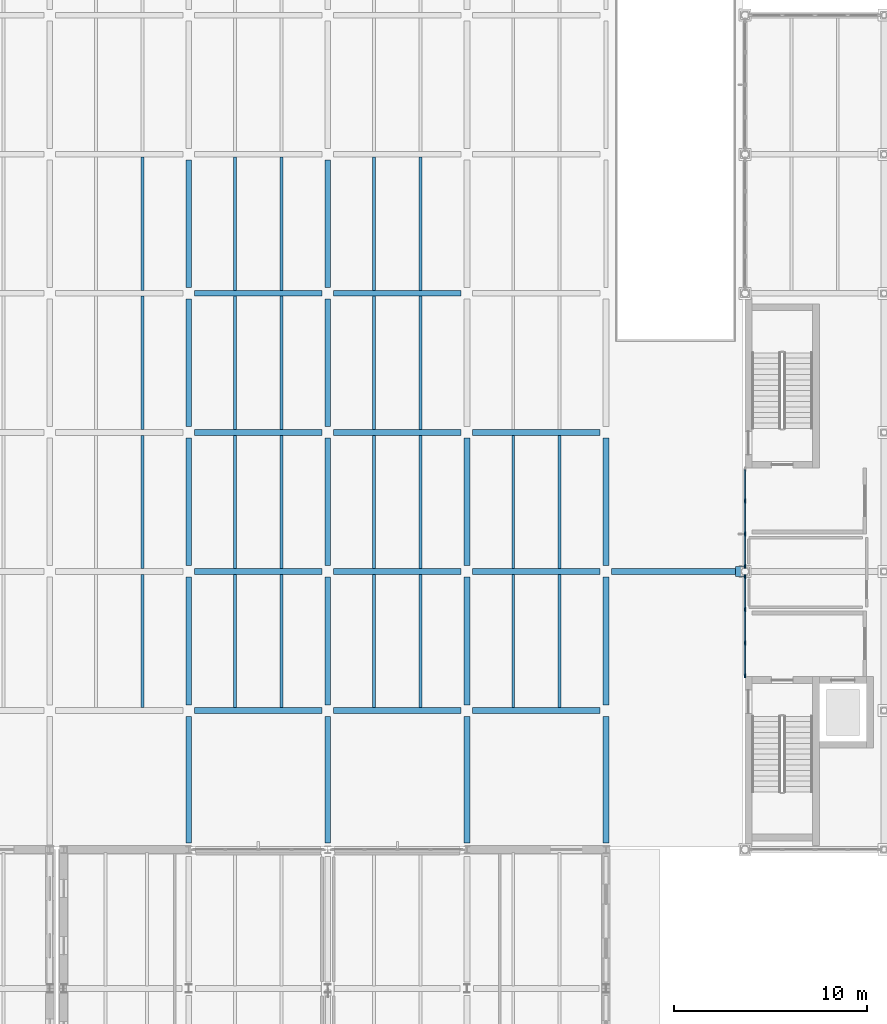
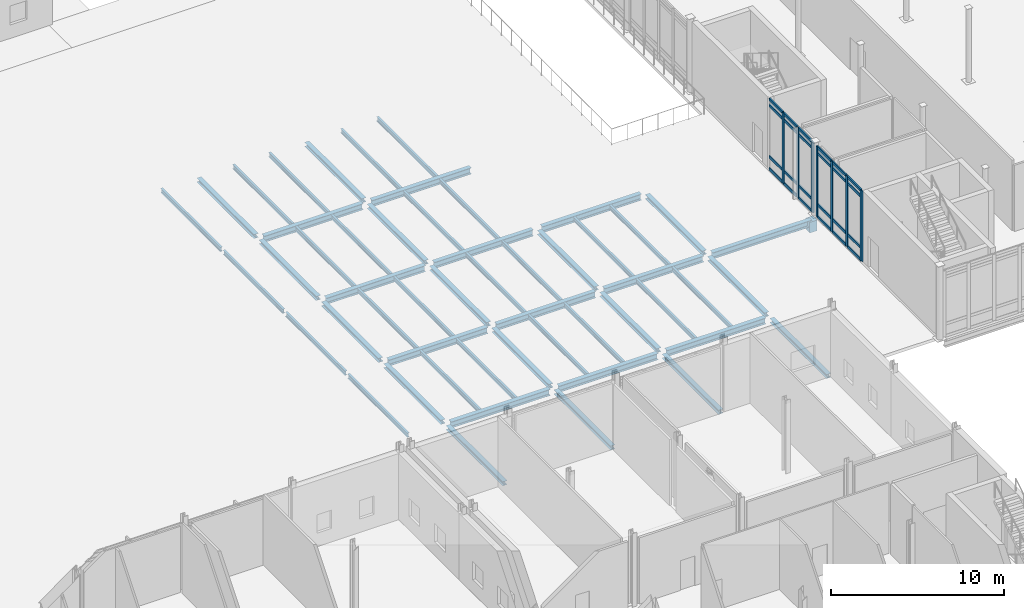
# One storey, part 25 of 89: 53 beams, 31 members, 2 elements without a shape of their own.
"""IFC4 building model written with IfcOpenShell, lengths in metres."""

from ifc_helpers import new_model, si_unit, direction, frame, origin, origin_2d, place, context, subcontext, project, spatial, rectangle, i_section, extrude, material, layer, layer_set, material_profile, profile_set, type_object, element, aggregate, save


model = new_model("IFC4")

# Units and contexts
model_context = context("Model", 3, precision=1e-05, world=origin(), true_north=direction((0.0, 1.0)))
body_context = subcontext(model_context, "Body", "Model", "MODEL_VIEW")
ifc_project = project(units=[si_unit("LENGTHUNIT", "METRE"), si_unit("AREAUNIT", "SQUARE_METRE"), si_unit("VOLUMEUNIT", "CUBIC_METRE"), si_unit("PLANEANGLEUNIT", "RADIAN"), si_unit("MASSUNIT", "GRAM", prefix="KILO")], contexts=[model_context])

# Site, building, storey
site_placement = place(None, origin())
site = spatial("IfcSite", under=ifc_project, at=site_placement, CompositionType="ELEMENT")
building_placement = place(site_placement, origin())
building = spatial("IfcBuilding", under=site, at=building_placement, Name="Zarrinpeak Specialist Clinic", CompositionType="ELEMENT")
storey_placement = place(building_placement, origin())
storey = spatial("IfcBuildingStorey", under=building, at=storey_placement, Name="L00", CompositionType="ELEMENT", Elevation=0.0)

# Beams
ifc_material_1 = material(Name="Steel S355", Category="steel")
ifc_material_profile_1 = material_profile(ifc_material_1, i_section(OverallWidth=0.300048828125, OverallDepth=0.2900390625, WebThickness=0.008544921875, FlangeThickness=0.013916015625, FilletRadius=0.027099609375, at=origin_2d()), Name="HEA 300")
ifc_profile_set_1 = profile_set([ifc_material_profile_1], Name="Steel S355")
beam_type_1 = type_object("IfcBeamType", Name="BM-HEA300", PredefinedType="BEAM", material=ifc_profile_set_1)
beam_1_placement = place(storey_placement, frame((64.800048828125, 29.14794921875, -0.364990234375), z_axis=(0.0, 1.0, 0.0), x_axis=(-1.0, 0.0, 0.0)))
element("IfcBeam", 1, at=beam_1_placement, inside=storey, type_object=beam_type_1, Name="L00 Primary Beam BM-L00-Y0331", PredefinedType="BEAM", context=body_context, shape_type="SweptSolid", body=[
    extrude(i_section(OverallWidth=0.300048828125, OverallDepth=0.2900390625, WebThickness=0.008544921875, FlangeThickness=0.013916015625, FilletRadius=0.027099609375, at=origin_2d()), origin(), (0.0, 0.0, 1.0), 6.553955078125),
])
for number, where, z_axis, x_axis, name in (
    (2, (64.800048828125, 36.298095703125, -0.364990234375), (0.0, 1.0, 0.0), (-1.0, 0.0, 0.0), "L00 Primary Beam BM-L00-Y0332"),
    (3, (64.800048828125, 43.498046875, -0.364990234375), (0.0, 1.0, 0.0), (-1.0, 0.0, 0.0), "L00 Primary Beam BM-L00-Y0333"),
    (4, (64.800048828125, 50.697998046875, -0.364990234375), (0.0, 1.0, 0.0), (-1.0, 0.0, 0.0), "L00 Primary Beam BM-L00-Y0334"),
    (5, (64.800048828125, 57.89794921875, -0.364990234375), (0.0, 1.0, 0.0), (-1.0, 0.0, 0.0), "L00 Primary Beam BM-L00-Y0335"),
):
    element("IfcBeam", number, at=place(storey_placement, frame(where, z_axis=z_axis, x_axis=x_axis)), inside=storey, type_object=beam_type_1, Name=name, PredefinedType="BEAM", context=body_context, shape_type="SweptSolid", body=[
        extrude(i_section(OverallWidth=0.300048828125, OverallDepth=0.2900390625, WebThickness=0.008544921875, FlangeThickness=0.013916015625, FilletRadius=0.027099609375, at=origin_2d()), origin(), (0.0, 0.0, 1.0), 6.60400390625),
    ])
beam_2_placement = place(storey_placement, frame((72.0, 29.14794921875, -0.364990234375), z_axis=(0.0, 1.0, 0.0), x_axis=(-1.0, 0.0, 0.0)))
element("IfcBeam", 6, at=beam_2_placement, inside=storey, type_object=beam_type_1, Name="L00 Primary Beam BM-L00-Y0346", PredefinedType="BEAM", context=body_context, shape_type="SweptSolid", body=[
    extrude(i_section(OverallWidth=0.300048828125, OverallDepth=0.2900390625, WebThickness=0.008544921875, FlangeThickness=0.013916015625, FilletRadius=0.027099609375, at=origin_2d()), origin(), (0.0, 0.0, 1.0), 6.553955078125),
])
for number, where, z_axis, x_axis, name in (
    (7, (72.0, 36.298095703125, -0.364990234375), (0.0, 1.0, 0.0), (-1.0, 0.0, 0.0), "L00 Primary Beam BM-L00-Y0347"),
    (8, (72.0, 43.498046875, -0.364990234375), (0.0, 1.0, 0.0), (-1.0, 0.0, 0.0), "L00 Primary Beam BM-L00-Y0348"),
    (9, (72.0, 50.697998046875, -0.364990234375), (0.0, 1.0, 0.0), (-1.0, 0.0, 0.0), "L00 Primary Beam BM-L00-Y0349"),
    (10, (72.0, 57.89794921875, -0.364990234375), (0.0, 1.0, 0.0), (-1.0, 0.0, 0.0), "L00 Primary Beam BM-L00-Y0350"),
):
    element("IfcBeam", number, at=place(storey_placement, frame(where, z_axis=z_axis, x_axis=x_axis)), inside=storey, type_object=beam_type_1, Name=name, PredefinedType="BEAM", context=body_context, shape_type="SweptSolid", body=[
        extrude(i_section(OverallWidth=0.300048828125, OverallDepth=0.2900390625, WebThickness=0.008544921875, FlangeThickness=0.013916015625, FilletRadius=0.027099609375, at=origin_2d()), origin(), (0.0, 0.0, 1.0), 6.60400390625),
    ])
beam_3_placement = place(storey_placement, frame((79.199951171875, 29.14794921875, -0.364990234375), z_axis=(0.0, 1.0, 0.0), x_axis=(-1.0, 0.0, 0.0)))
element("IfcBeam", 11, at=beam_3_placement, inside=storey, type_object=beam_type_1, Name="L00 Primary Beam BM-L00-Y0357", PredefinedType="BEAM", context=body_context, shape_type="SweptSolid", body=[
    extrude(i_section(OverallWidth=0.300048828125, OverallDepth=0.2900390625, WebThickness=0.008544921875, FlangeThickness=0.013916015625, FilletRadius=0.027099609375, at=origin_2d()), origin(), (0.0, 0.0, 1.0), 6.553955078125),
])
for number, where, z_axis, x_axis, name in (
    (12, (79.199951171875, 36.298095703125, -0.364990234375), (0.0, 1.0, 0.0), (-1.0, 0.0, 0.0), "L00 Primary Beam BM-L00-Y0358"),
    (13, (79.199951171875, 43.498046875, -0.364990234375), (0.0, 1.0, 0.0), (-1.0, 0.0, 0.0), "L00 Primary Beam BM-L00-Y0359"),
):
    element("IfcBeam", number, at=place(storey_placement, frame(where, z_axis=z_axis, x_axis=x_axis)), inside=storey, type_object=beam_type_1, Name=name, PredefinedType="BEAM", context=body_context, shape_type="SweptSolid", body=[
        extrude(i_section(OverallWidth=0.300048828125, OverallDepth=0.2900390625, WebThickness=0.008544921875, FlangeThickness=0.013916015625, FilletRadius=0.027099609375, at=origin_2d()), origin(), (0.0, 0.0, 1.0), 6.60400390625),
    ])
beam_4_placement = place(storey_placement, frame((86.39990234375, 29.14794921875, -0.364990234375), z_axis=(0.0, 1.0, 0.0), x_axis=(-1.0, 0.0, 0.0)))
element("IfcBeam", 14, at=beam_4_placement, inside=storey, type_object=beam_type_1, Name="L00 Primary Beam BM-L00-Y0366", PredefinedType="BEAM", context=body_context, shape_type="SweptSolid", body=[
    extrude(i_section(OverallWidth=0.300048828125, OverallDepth=0.2900390625, WebThickness=0.008544921875, FlangeThickness=0.013916015625, FilletRadius=0.027099609375, at=origin_2d()), origin(), (0.0, 0.0, 1.0), 6.553955078125),
])
for number, where, z_axis, x_axis, name in (
    (15, (86.39990234375, 36.298095703125, -0.364990234375), (0.0, 1.0, 0.0), (-1.0, 0.0, 0.0), "L00 Primary Beam BM-L00-Y0367"),
    (16, (86.39990234375, 43.498046875, -0.364990234375), (0.0, 1.0, 0.0), (-1.0, 0.0, 0.0), "L00 Primary Beam BM-L00-Y0368"),
):
    element("IfcBeam", number, at=place(storey_placement, frame(where, z_axis=z_axis, x_axis=x_axis)), inside=storey, type_object=beam_type_1, Name=name, PredefinedType="BEAM", context=body_context, shape_type="SweptSolid", body=[
        extrude(i_section(OverallWidth=0.300048828125, OverallDepth=0.2900390625, WebThickness=0.008544921875, FlangeThickness=0.013916015625, FilletRadius=0.027099609375, at=origin_2d()), origin(), (0.0, 0.0, 1.0), 6.60400390625),
    ])
ifc_material_profile_2 = material_profile(ifc_material_1, i_section(OverallWidth=0.300048828125, OverallDepth=0.43994140625, WebThickness=0.011474609375, FlangeThickness=0.02099609375, FilletRadius=0.027099609375, at=origin_2d()), Name="HEA 450")
ifc_profile_set_2 = profile_set([ifc_material_profile_2], Name="Steel S355")
beam_type_2 = type_object("IfcBeamType", Name="BM-HEA450", PredefinedType="BEAM", material=ifc_profile_set_2)
for number, where, z_axis, x_axis, name in (
    (17, (65.097900390625, 36.0, -0.43994140625), (1.0, 0.0, 0.0), (0.0, 1.0, 0.0), "L00 Primary Floor Girder BM-L00-X0065"),
    (18, (72.298095703125, 36.0, -0.43994140625), (1.0, 0.0, 0.0), (0.0, 1.0, 0.0), "L00 Primary Floor Girder BM-L00-X0066"),
    (19, (79.498046875, 36.0, -0.43994140625), (1.0, 0.0, 0.0), (0.0, 1.0, 0.0), "L00 Primary Floor Girder BM-L00-X0067"),
    (20, (65.097900390625, 43.199951171875, -0.43994140625), (1.0, 0.0, 0.0), (0.0, 1.0, 0.0), "L00 Primary Floor Girder BM-L00-X0087"),
    (21, (72.298095703125, 43.199951171875, -0.43994140625), (1.0, 0.0, 0.0), (0.0, 1.0, 0.0), "L00 Primary Floor Girder BM-L00-X0088"),
    (22, (79.498046875, 43.199951171875, -0.43994140625), (1.0, 0.0, 0.0), (0.0, 1.0, 0.0), "L00 Primary Floor Girder BM-L00-X0089"),
    (23, (86.697998046875, 43.199951171875, -0.43994140625), (1.0, 0.0, 0.0), (0.0, 1.0, 0.0), "L00 Primary Floor Girder BM-L00-X0090"),
    (24, (65.097900390625, 50.39990234375, -0.43994140625), (1.0, 0.0, 0.0), (0.0, 1.0, 0.0), "L00 Primary Floor Girder BM-L00-X0111"),
    (25, (72.298095703125, 50.39990234375, -0.43994140625), (1.0, 0.0, 0.0), (0.0, 1.0, 0.0), "L00 Primary Floor Girder BM-L00-X0112"),
    (26, (79.498046875, 50.39990234375, -0.43994140625), (1.0, 0.0, 0.0), (0.0, 1.0, 0.0), "L00 Primary Floor Girder BM-L00-X0113"),
    (27, (65.097900390625, 57.60009765625, -0.43994140625), (1.0, 0.0, 0.0), (0.0, 1.0, 0.0), "L00 Primary Floor Girder BM-L00-X0137"),
    (28, (72.298095703125, 57.60009765625, -0.43994140625), (1.0, 0.0, 0.0), (0.0, 1.0, 0.0), "L00 Primary Floor Girder BM-L00-X0138"),
):
    element("IfcBeam", number, at=place(storey_placement, frame(where, z_axis=z_axis, x_axis=x_axis)), inside=storey, type_object=beam_type_2, Name=name, PredefinedType="BEAM", context=body_context, shape_type="SweptSolid", body=[
        extrude(i_section(OverallWidth=0.300048828125, OverallDepth=0.43994140625, WebThickness=0.011474609375, FlangeThickness=0.02099609375, FilletRadius=0.027099609375, at=origin_2d()), origin(), (0.0, 0.0, 1.0), 6.60400390625),
    ])
ifc_material_profile_3 = material_profile(ifc_material_1, i_section(OverallWidth=0.14990234375, OverallDepth=0.300048828125, WebThickness=0.007080078125, FlangeThickness=0.0107421875, FilletRadius=0.014892578125, at=origin_2d()), Name="IPE 300")
ifc_profile_set_3 = profile_set([ifc_material_profile_3], Name="Steel S355")
beam_type_3 = type_object("IfcBeamType", Name="BM-JST300", PredefinedType="JOIST", material=ifc_profile_set_3)
for number, where, z_axis, x_axis, name in (
    (29, (62.39990234375, 36.14794921875, -0.3701171875), (0.0, 1.0, 0.0), (-1.0, 0.0, 0.0), "L00 Composite Floor Joist JST-L00-0641"),
    (30, (62.39990234375, 43.347900390625, -0.3701171875), (0.0, 1.0, 0.0), (-1.0, 0.0, 0.0), "L00 Composite Floor Joist JST-L00-0643"),
):
    element("IfcBeam", number, at=place(storey_placement, frame(where, z_axis=z_axis, x_axis=x_axis)), inside=storey, type_object=beam_type_3, Name=name, PredefinedType="JOIST", context=body_context, shape_type="SweptSolid", body=[
        extrude(i_section(OverallWidth=0.14990234375, OverallDepth=0.300048828125, WebThickness=0.007080078125, FlangeThickness=0.0107421875, FilletRadius=0.014892578125, at=origin_2d()), origin(), (0.0, 0.0, 1.0), 6.904052734375),
    ])
beam_5_placement = place(storey_placement, frame((62.39990234375, 50.548095703125, -0.3701171875), z_axis=(0.0, 1.0, 0.0), x_axis=(-1.0, 0.0, 0.0)))
element("IfcBeam", 31, at=beam_5_placement, inside=storey, type_object=beam_type_3, Name="L00 Composite Floor Joist JST-L00-0645", PredefinedType="JOIST", context=body_context, shape_type="SweptSolid", body=[
    extrude(i_section(OverallWidth=0.14990234375, OverallDepth=0.300048828125, WebThickness=0.007080078125, FlangeThickness=0.0107421875, FilletRadius=0.014892578125, at=origin_2d()), origin(), (0.0, 0.0, 1.0), 6.90380859375),
])
for number, where, z_axis, x_axis, name in (
    (32, (62.39990234375, 57.748046875, -0.3701171875), (0.0, 1.0, 0.0), (-1.0, 0.0, 0.0), "L00 Composite Floor Joist JST-L00-0647"),
    (33, (67.199951171875, 36.14794921875, -0.3701171875), (0.0, 1.0, 0.0), (-1.0, 0.0, 0.0), "L00 Composite Floor Joist JST-L00-0652"),
    (34, (69.60009765625, 36.14794921875, -0.3701171875), (0.0, 1.0, 0.0), (-1.0, 0.0, 0.0), "L00 Composite Floor Joist JST-L00-0653"),
    (35, (67.199951171875, 43.347900390625, -0.3701171875), (0.0, 1.0, 0.0), (-1.0, 0.0, 0.0), "L00 Composite Floor Joist JST-L00-0654"),
    (36, (69.60009765625, 43.347900390625, -0.3701171875), (0.0, 1.0, 0.0), (-1.0, 0.0, 0.0), "L00 Composite Floor Joist JST-L00-0655"),
):
    element("IfcBeam", number, at=place(storey_placement, frame(where, z_axis=z_axis, x_axis=x_axis)), inside=storey, type_object=beam_type_3, Name=name, PredefinedType="JOIST", context=body_context, shape_type="SweptSolid", body=[
        extrude(i_section(OverallWidth=0.14990234375, OverallDepth=0.300048828125, WebThickness=0.007080078125, FlangeThickness=0.0107421875, FilletRadius=0.014892578125, at=origin_2d()), origin(), (0.0, 0.0, 1.0), 6.904052734375),
    ])
for number, where, z_axis, x_axis, name in (
    (37, (67.199951171875, 50.548095703125, -0.3701171875), (0.0, 1.0, 0.0), (-1.0, 0.0, 0.0), "L00 Composite Floor Joist JST-L00-0656"),
    (38, (69.60009765625, 50.548095703125, -0.3701171875), (0.0, 1.0, 0.0), (-1.0, 0.0, 0.0), "L00 Composite Floor Joist JST-L00-0657"),
):
    element("IfcBeam", number, at=place(storey_placement, frame(where, z_axis=z_axis, x_axis=x_axis)), inside=storey, type_object=beam_type_3, Name=name, PredefinedType="JOIST", context=body_context, shape_type="SweptSolid", body=[
        extrude(i_section(OverallWidth=0.14990234375, OverallDepth=0.300048828125, WebThickness=0.007080078125, FlangeThickness=0.0107421875, FilletRadius=0.014892578125, at=origin_2d()), origin(), (0.0, 0.0, 1.0), 6.90380859375),
    ])
for number, where, z_axis, x_axis, name in (
    (39, (67.199951171875, 57.748046875, -0.3701171875), (0.0, 1.0, 0.0), (-1.0, 0.0, 0.0), "L00 Composite Floor Joist JST-L00-0658"),
    (40, (69.60009765625, 57.748046875, -0.3701171875), (0.0, 1.0, 0.0), (-1.0, 0.0, 0.0), "L00 Composite Floor Joist JST-L00-0659"),
    (41, (74.39990234375, 36.14794921875, -0.3701171875), (0.0, 1.0, 0.0), (-1.0, 0.0, 0.0), "L00 Composite Floor Joist JST-L00-0664"),
    (42, (76.800048828125, 36.14794921875, -0.3701171875), (0.0, 1.0, 0.0), (-1.0, 0.0, 0.0), "L00 Composite Floor Joist JST-L00-0665"),
    (43, (74.39990234375, 43.347900390625, -0.3701171875), (0.0, 1.0, 0.0), (-1.0, 0.0, 0.0), "L00 Composite Floor Joist JST-L00-0666"),
    (44, (76.800048828125, 43.347900390625, -0.3701171875), (0.0, 1.0, 0.0), (-1.0, 0.0, 0.0), "L00 Composite Floor Joist JST-L00-0667"),
):
    element("IfcBeam", number, at=place(storey_placement, frame(where, z_axis=z_axis, x_axis=x_axis)), inside=storey, type_object=beam_type_3, Name=name, PredefinedType="JOIST", context=body_context, shape_type="SweptSolid", body=[
        extrude(i_section(OverallWidth=0.14990234375, OverallDepth=0.300048828125, WebThickness=0.007080078125, FlangeThickness=0.0107421875, FilletRadius=0.014892578125, at=origin_2d()), origin(), (0.0, 0.0, 1.0), 6.904052734375),
    ])
for number, where, z_axis, x_axis, name in (
    (45, (74.39990234375, 50.548095703125, -0.3701171875), (0.0, 1.0, 0.0), (-1.0, 0.0, 0.0), "L00 Composite Floor Joist JST-L00-0668"),
    (46, (76.800048828125, 50.548095703125, -0.3701171875), (0.0, 1.0, 0.0), (-1.0, 0.0, 0.0), "L00 Composite Floor Joist JST-L00-0669"),
):
    element("IfcBeam", number, at=place(storey_placement, frame(where, z_axis=z_axis, x_axis=x_axis)), inside=storey, type_object=beam_type_3, Name=name, PredefinedType="JOIST", context=body_context, shape_type="SweptSolid", body=[
        extrude(i_section(OverallWidth=0.14990234375, OverallDepth=0.300048828125, WebThickness=0.007080078125, FlangeThickness=0.0107421875, FilletRadius=0.014892578125, at=origin_2d()), origin(), (0.0, 0.0, 1.0), 6.90380859375),
    ])
for number, where, z_axis, x_axis, name in (
    (47, (74.39990234375, 57.748046875, -0.3701171875), (0.0, 1.0, 0.0), (-1.0, 0.0, 0.0), "L00 Composite Floor Joist JST-L00-0670"),
    (48, (76.800048828125, 57.748046875, -0.3701171875), (0.0, 1.0, 0.0), (-1.0, 0.0, 0.0), "L00 Composite Floor Joist JST-L00-0671"),
    (49, (81.60009765625, 36.14794921875, -0.3701171875), (0.0, 1.0, 0.0), (-1.0, 0.0, 0.0), "L00 Composite Floor Joist JST-L00-0676"),
    (50, (84.0, 36.14794921875, -0.3701171875), (0.0, 1.0, 0.0), (-1.0, 0.0, 0.0), "L00 Composite Floor Joist JST-L00-0677"),
    (51, (81.60009765625, 43.347900390625, -0.3701171875), (0.0, 1.0, 0.0), (-1.0, 0.0, 0.0), "L00 Composite Floor Joist JST-L00-0678"),
    (52, (84.0, 43.347900390625, -0.3701171875), (0.0, 1.0, 0.0), (-1.0, 0.0, 0.0), "L00 Composite Floor Joist JST-L00-0679"),
):
    element("IfcBeam", number, at=place(storey_placement, frame(where, z_axis=z_axis, x_axis=x_axis)), inside=storey, type_object=beam_type_3, Name=name, PredefinedType="JOIST", context=body_context, shape_type="SweptSolid", body=[
        extrude(i_section(OverallWidth=0.14990234375, OverallDepth=0.300048828125, WebThickness=0.007080078125, FlangeThickness=0.0107421875, FilletRadius=0.014892578125, at=origin_2d()), origin(), (0.0, 0.0, 1.0), 6.904052734375),
    ])
ifc_material_2 = material(Name="Concrete C40/50", Category="concrete")
ifc_material_profile_4 = material_profile(ifc_material_2, rectangle(XDim=0.5, YDim=0.75, at=origin_2d()), Name="RC 500x750")
ifc_profile_set_4 = profile_set([ifc_material_profile_4], Name="Concrete C40/50")
beam_type_4 = type_object("IfcBeamType", Name="BM-RC500", PredefinedType="BEAM", material=ifc_profile_set_4)
beam_6_placement = place(storey_placement, frame((93.60009765625, 43.199951171875, -0.625), z_axis=(-1.0, 0.0, 0.0), x_axis=(0.0, -1.0, 0.0)))
element("IfcBeam", 53, at=beam_6_placement, inside=storey, type_object=beam_type_4, Name="L00 500 mm Bridge Seat Corbel SJ-3", PredefinedType="BEAM", context=body_context, shape_type="SweptSolid", body=[
    extrude(rectangle(XDim=0.5, YDim=0.75, at=origin_2d()), origin(), (0.0, 0.0, 1.0), 0.5),
])

# Curtain wall, members
ifc_material_3 = material(Name="Anodised Aluminium Alloy 6063-T6", Category="aluminium")
ifc_layer = layer(ifc_material_3, 0.199951171875)
ifc_layer_set = layer_set([ifc_layer], Name="Anodised Aluminium Alloy 6063-T6")
curtain_wall_type = type_object("IfcCurtainWallType", Name="CW-HALL", PredefinedType="NOTDEFINED", material=ifc_layer_set)
curtain_wall_1_placement = place(storey_placement, origin())
curtain_wall_1 = element("IfcCurtainWall", 54, at=curtain_wall_1_placement, inside=storey, type_object=curtain_wall_type, Name="L00 V3 Unitised Curtain Wall CW-L00-V3-087", PredefinedType="NOTDEFINED")
ifc_material_profile_5 = material_profile(ifc_material_3, rectangle(XDim=0.090087890625, YDim=0.219970703125, at=origin_2d()), Name="ALU 90x220")
ifc_profile_set_5 = profile_set([ifc_material_profile_5], Name="Anodised Aluminium Alloy 6063-T6")
member_type_1 = type_object("IfcMemberType", Name="CWM-90", PredefinedType="MULLION", material=ifc_profile_set_5)
member_1_placement = place(storey_placement, frame((93.60009765625, 42.9267578125, 0.0), z_axis=(0.0, 0.0, 1.0), x_axis=(1.0, 0.0, 0.0)))
member_1 = element("IfcMember", 55, at=member_1_placement, type_object=member_type_1, Name="CW-02 mullion 1", PredefinedType="MULLION", context=body_context, shape_type="SweptSolid", body=[
    extrude(rectangle(XDim=0.090087890625, YDim=0.219970703125, at=origin_2d()), origin(), (0.0, 0.0, 1.0), 4.969970703125),
])
member_2_placement = place(storey_placement, frame((93.60009765625, 41.231201171875, 0.0), z_axis=(0.0, 0.0, 1.0), x_axis=(1.0, 0.0, 0.0)))
member_2 = element("IfcMember", 56, at=member_2_placement, type_object=member_type_1, Name="CW-02 mullion 2", PredefinedType="MULLION", context=body_context, shape_type="SweptSolid", body=[
    extrude(rectangle(XDim=0.090087890625, YDim=0.219970703125, at=origin_2d()), origin(), (0.0, 0.0, 1.0), 4.969970703125),
])
member_3_placement = place(storey_placement, frame((93.60009765625, 39.490478515625, 0.0), z_axis=(0.0, 0.0, 1.0), x_axis=(1.0, 0.0, 0.0)))
member_3 = element("IfcMember", 57, at=member_3_placement, type_object=member_type_1, Name="CW-02 mullion 3", PredefinedType="MULLION", context=body_context, shape_type="SweptSolid", body=[
    extrude(rectangle(XDim=0.090087890625, YDim=0.219970703125, at=origin_2d()), origin(), (0.0, 0.0, 1.0), 4.969970703125),
])
member_4_placement = place(storey_placement, frame((93.60009765625, 37.794921875, 0.0), z_axis=(0.0, 0.0, 1.0), x_axis=(1.0, 0.0, 0.0)))
member_4 = element("IfcMember", 58, at=member_4_placement, type_object=member_type_1, Name="CW-02 mullion 4", PredefinedType="MULLION", context=body_context, shape_type="SweptSolid", body=[
    extrude(rectangle(XDim=0.090087890625, YDim=0.219970703125, at=origin_2d()), origin(), (0.0, 0.0, 1.0), 4.969970703125),
])

curtain_wall_2_placement = place(storey_placement, origin())
curtain_wall_2 = element("IfcCurtainWall", 59, at=curtain_wall_2_placement, inside=storey, type_object=curtain_wall_type, Name="L00 V3 Unitised Curtain Wall CW-L00-V3-088", PredefinedType="NOTDEFINED")
member_5_placement = place(storey_placement, frame((93.60009765625, 46.8427734375, 0.0), z_axis=(0.0, 0.0, 1.0), x_axis=(1.0, 0.0, 0.0)))
member_5 = element("IfcMember", 60, at=member_5_placement, type_object=member_type_1, Name="CW-02 mullion 2", PredefinedType="MULLION", context=body_context, shape_type="SweptSolid", body=[
    extrude(rectangle(XDim=0.090087890625, YDim=0.219970703125, at=origin_2d()), origin(), (0.0, 0.0, 1.0), 4.969970703125),
])
member_6_placement = place(storey_placement, frame((93.60009765625, 45.135498046875, 0.0), z_axis=(0.0, 0.0, 1.0), x_axis=(1.0, 0.0, 0.0)))
member_6 = element("IfcMember", 61, at=member_6_placement, type_object=member_type_1, Name="CW-02 mullion 3", PredefinedType="MULLION", context=body_context, shape_type="SweptSolid", body=[
    extrude(rectangle(XDim=0.090087890625, YDim=0.219970703125, at=origin_2d()), origin(), (0.0, 0.0, 1.0), 4.969970703125),
])
member_7_placement = place(storey_placement, frame((93.60009765625, 43.47314453125, 0.0), z_axis=(0.0, 0.0, 1.0), x_axis=(1.0, 0.0, 0.0)))
member_7 = element("IfcMember", 62, at=member_7_placement, type_object=member_type_1, Name="CW-02 mullion 4", PredefinedType="MULLION", context=body_context, shape_type="SweptSolid", body=[
    extrude(rectangle(XDim=0.090087890625, YDim=0.219970703125, at=origin_2d()), origin(), (0.0, 0.0, 1.0), 4.969970703125),
])

# Member
ifc_material_profile_6 = material_profile(ifc_material_3, rectangle(XDim=0.090087890625, YDim=0.18994140625, at=origin_2d()), Name="ALU 90x190")
ifc_profile_set_6 = profile_set([ifc_material_profile_6], Name="Anodised Aluminium Alloy 6063-T6")
member_type_2 = type_object("IfcMemberType", Name="CWT-90", PredefinedType="USERDEFINED", material=ifc_profile_set_6)
member_8_placement = place(storey_placement, frame((93.60009765625, 42.8818359375, 0.044921875), z_axis=(0.0, -1.0, 0.0), x_axis=(1.0, 0.0, 0.0)))
member_8 = element("IfcMember", 63, at=member_8_placement, type_object=member_type_2, Name="CW-02 transom 1.1", ObjectType="TRANSOM", PredefinedType="USERDEFINED", context=body_context, shape_type="SweptSolid", body=[
    extrude(rectangle(XDim=0.090087890625, YDim=0.18994140625, at=origin_2d()), origin(), (0.0, 0.0, 1.0), 1.605712890625),
])

member_9_placement = place(storey_placement, frame((93.60009765625, 42.8818359375, 0.89990234375), z_axis=(0.0, -1.0, 0.0), x_axis=(1.0, 0.0, 0.0)))
member_9 = element("IfcMember", 64, at=member_9_placement, type_object=member_type_2, Name="CW-02 transom 1.2", ObjectType="TRANSOM", PredefinedType="USERDEFINED", context=body_context, shape_type="SweptSolid", body=[
    extrude(rectangle(XDim=0.090087890625, YDim=0.18994140625, at=origin_2d()), origin(), (0.0, 0.0, 1.0), 1.605712890625),
])

member_10_placement = place(storey_placement, frame((93.60009765625, 42.8818359375, 4.52001953125), z_axis=(0.0, -1.0, 0.0), x_axis=(1.0, 0.0, 0.0)))
member_10 = element("IfcMember", 65, at=member_10_placement, type_object=member_type_2, Name="CW-02 transom 1.3", ObjectType="TRANSOM", PredefinedType="USERDEFINED", context=body_context, shape_type="SweptSolid", body=[
    extrude(rectangle(XDim=0.090087890625, YDim=0.18994140625, at=origin_2d()), origin(), (0.0, 0.0, 1.0), 1.605712890625),
])

member_11_placement = place(storey_placement, frame((93.60009765625, 42.8818359375, 4.925048828125), z_axis=(0.0, -1.0, 0.0), x_axis=(1.0, 0.0, 0.0)))
member_11 = element("IfcMember", 66, at=member_11_placement, type_object=member_type_2, Name="CW-02 transom 1.4", ObjectType="TRANSOM", PredefinedType="USERDEFINED", context=body_context, shape_type="SweptSolid", body=[
    extrude(rectangle(XDim=0.090087890625, YDim=0.18994140625, at=origin_2d()), origin(), (0.0, 0.0, 1.0), 1.605712890625),
])

member_12_placement = place(storey_placement, frame((93.60009765625, 41.186279296875, 0.044921875), z_axis=(0.0, -1.0, 0.0), x_axis=(1.0, 0.0, 0.0)))
member_12 = element("IfcMember", 67, at=member_12_placement, type_object=member_type_2, Name="CW-02 transom 2.1", ObjectType="TRANSOM", PredefinedType="USERDEFINED", context=body_context, shape_type="SweptSolid", body=[
    extrude(rectangle(XDim=0.090087890625, YDim=0.18994140625, at=origin_2d()), origin(), (0.0, 0.0, 1.0), 1.650634765625),
])

member_13_placement = place(storey_placement, frame((93.60009765625, 41.186279296875, 0.89990234375), z_axis=(0.0, -1.0, 0.0), x_axis=(1.0, 0.0, 0.0)))
member_13 = element("IfcMember", 68, at=member_13_placement, type_object=member_type_2, Name="CW-02 transom 2.2", ObjectType="TRANSOM", PredefinedType="USERDEFINED", context=body_context, shape_type="SweptSolid", body=[
    extrude(rectangle(XDim=0.090087890625, YDim=0.18994140625, at=origin_2d()), origin(), (0.0, 0.0, 1.0), 1.650634765625),
])

member_14_placement = place(storey_placement, frame((93.60009765625, 41.186279296875, 4.52001953125), z_axis=(0.0, -1.0, 0.0), x_axis=(1.0, 0.0, 0.0)))
member_14 = element("IfcMember", 69, at=member_14_placement, type_object=member_type_2, Name="CW-02 transom 2.3", ObjectType="TRANSOM", PredefinedType="USERDEFINED", context=body_context, shape_type="SweptSolid", body=[
    extrude(rectangle(XDim=0.090087890625, YDim=0.18994140625, at=origin_2d()), origin(), (0.0, 0.0, 1.0), 1.650634765625),
])

member_15_placement = place(storey_placement, frame((93.60009765625, 41.186279296875, 4.925048828125), z_axis=(0.0, -1.0, 0.0), x_axis=(1.0, 0.0, 0.0)))
member_15 = element("IfcMember", 70, at=member_15_placement, type_object=member_type_2, Name="CW-02 transom 2.4", ObjectType="TRANSOM", PredefinedType="USERDEFINED", context=body_context, shape_type="SweptSolid", body=[
    extrude(rectangle(XDim=0.090087890625, YDim=0.18994140625, at=origin_2d()), origin(), (0.0, 0.0, 1.0), 1.650634765625),
])

member_16_placement = place(storey_placement, frame((93.60009765625, 39.445556640625, 0.044921875), z_axis=(0.0, -1.0, 0.0), x_axis=(1.0, 0.0, 0.0)))
member_16 = element("IfcMember", 71, at=member_16_placement, type_object=member_type_2, Name="CW-02 transom 3.1", ObjectType="TRANSOM", PredefinedType="USERDEFINED", context=body_context, shape_type="SweptSolid", body=[
    extrude(rectangle(XDim=0.090087890625, YDim=0.18994140625, at=origin_2d()), origin(), (0.0, 0.0, 1.0), 1.60546875),
])

member_17_placement = place(storey_placement, frame((93.60009765625, 39.445556640625, 0.89990234375), z_axis=(0.0, -1.0, 0.0), x_axis=(1.0, 0.0, 0.0)))
member_17 = element("IfcMember", 72, at=member_17_placement, type_object=member_type_2, Name="CW-02 transom 3.2", ObjectType="TRANSOM", PredefinedType="USERDEFINED", context=body_context, shape_type="SweptSolid", body=[
    extrude(rectangle(XDim=0.090087890625, YDim=0.18994140625, at=origin_2d()), origin(), (0.0, 0.0, 1.0), 1.60546875),
])

member_18_placement = place(storey_placement, frame((93.60009765625, 39.445556640625, 4.52001953125), z_axis=(0.0, -1.0, 0.0), x_axis=(1.0, 0.0, 0.0)))
member_18 = element("IfcMember", 73, at=member_18_placement, type_object=member_type_2, Name="CW-02 transom 3.3", ObjectType="TRANSOM", PredefinedType="USERDEFINED", context=body_context, shape_type="SweptSolid", body=[
    extrude(rectangle(XDim=0.090087890625, YDim=0.18994140625, at=origin_2d()), origin(), (0.0, 0.0, 1.0), 1.60546875),
])

member_19_placement = place(storey_placement, frame((93.60009765625, 39.445556640625, 4.925048828125), z_axis=(0.0, -1.0, 0.0), x_axis=(1.0, 0.0, 0.0)))
member_19 = element("IfcMember", 74, at=member_19_placement, type_object=member_type_2, Name="CW-02 transom 3.4", ObjectType="TRANSOM", PredefinedType="USERDEFINED", context=body_context, shape_type="SweptSolid", body=[
    extrude(rectangle(XDim=0.090087890625, YDim=0.18994140625, at=origin_2d()), origin(), (0.0, 0.0, 1.0), 1.60546875),
])

aggregate(curtain_wall_1, [member_1, member_2, member_3, member_4, member_8, member_9, member_10, member_11, member_12, member_13, member_14, member_15, member_16, member_17, member_18, member_19])

member_20_placement = place(storey_placement, frame((93.60009765625, 48.4599609375, 0.044921875), z_axis=(0.0, -1.0, 0.0), x_axis=(1.0, 0.0, 0.0)))
member_20 = element("IfcMember", 75, at=member_20_placement, type_object=member_type_2, Name="CW-02 transom 1.1", ObjectType="TRANSOM", PredefinedType="USERDEFINED", context=body_context, shape_type="SweptSolid", body=[
    extrude(rectangle(XDim=0.090087890625, YDim=0.18994140625, at=origin_2d()), origin(), (0.0, 0.0, 1.0), 1.572265625),
])

member_21_placement = place(storey_placement, frame((93.60009765625, 48.4599609375, 0.89990234375), z_axis=(0.0, -1.0, 0.0), x_axis=(1.0, 0.0, 0.0)))
member_21 = element("IfcMember", 76, at=member_21_placement, type_object=member_type_2, Name="CW-02 transom 1.2", ObjectType="TRANSOM", PredefinedType="USERDEFINED", context=body_context, shape_type="SweptSolid", body=[
    extrude(rectangle(XDim=0.090087890625, YDim=0.18994140625, at=origin_2d()), origin(), (0.0, 0.0, 1.0), 1.572265625),
])

member_22_placement = place(storey_placement, frame((93.60009765625, 48.4599609375, 4.52001953125), z_axis=(0.0, -1.0, 0.0), x_axis=(1.0, 0.0, 0.0)))
member_22 = element("IfcMember", 77, at=member_22_placement, type_object=member_type_2, Name="CW-02 transom 1.3", ObjectType="TRANSOM", PredefinedType="USERDEFINED", context=body_context, shape_type="SweptSolid", body=[
    extrude(rectangle(XDim=0.090087890625, YDim=0.18994140625, at=origin_2d()), origin(), (0.0, 0.0, 1.0), 1.572265625),
])

member_23_placement = place(storey_placement, frame((93.60009765625, 48.4599609375, 4.925048828125), z_axis=(0.0, -1.0, 0.0), x_axis=(1.0, 0.0, 0.0)))
member_23 = element("IfcMember", 78, at=member_23_placement, type_object=member_type_2, Name="CW-02 transom 1.4", ObjectType="TRANSOM", PredefinedType="USERDEFINED", context=body_context, shape_type="SweptSolid", body=[
    extrude(rectangle(XDim=0.090087890625, YDim=0.18994140625, at=origin_2d()), origin(), (0.0, 0.0, 1.0), 1.572265625),
])

member_24_placement = place(storey_placement, frame((93.60009765625, 46.7978515625, 0.044921875), z_axis=(0.0, -1.0, 0.0), x_axis=(1.0, 0.0, 0.0)))
member_24 = element("IfcMember", 79, at=member_24_placement, type_object=member_type_2, Name="CW-02 transom 2.1", ObjectType="TRANSOM", PredefinedType="USERDEFINED", context=body_context, shape_type="SweptSolid", body=[
    extrude(rectangle(XDim=0.090087890625, YDim=0.18994140625, at=origin_2d()), origin(), (0.0, 0.0, 1.0), 1.617431640625),
])

member_25_placement = place(storey_placement, frame((93.60009765625, 46.7978515625, 0.89990234375), z_axis=(0.0, -1.0, 0.0), x_axis=(1.0, 0.0, 0.0)))
member_25 = element("IfcMember", 80, at=member_25_placement, type_object=member_type_2, Name="CW-02 transom 2.2", ObjectType="TRANSOM", PredefinedType="USERDEFINED", context=body_context, shape_type="SweptSolid", body=[
    extrude(rectangle(XDim=0.090087890625, YDim=0.18994140625, at=origin_2d()), origin(), (0.0, 0.0, 1.0), 1.617431640625),
])

member_26_placement = place(storey_placement, frame((93.60009765625, 46.7978515625, 4.52001953125), z_axis=(0.0, -1.0, 0.0), x_axis=(1.0, 0.0, 0.0)))
member_26 = element("IfcMember", 81, at=member_26_placement, type_object=member_type_2, Name="CW-02 transom 2.3", ObjectType="TRANSOM", PredefinedType="USERDEFINED", context=body_context, shape_type="SweptSolid", body=[
    extrude(rectangle(XDim=0.090087890625, YDim=0.18994140625, at=origin_2d()), origin(), (0.0, 0.0, 1.0), 1.617431640625),
])

member_27_placement = place(storey_placement, frame((93.60009765625, 46.7978515625, 4.925048828125), z_axis=(0.0, -1.0, 0.0), x_axis=(1.0, 0.0, 0.0)))
member_27 = element("IfcMember", 82, at=member_27_placement, type_object=member_type_2, Name="CW-02 transom 2.4", ObjectType="TRANSOM", PredefinedType="USERDEFINED", context=body_context, shape_type="SweptSolid", body=[
    extrude(rectangle(XDim=0.090087890625, YDim=0.18994140625, at=origin_2d()), origin(), (0.0, 0.0, 1.0), 1.617431640625),
])

member_28_placement = place(storey_placement, frame((93.60009765625, 45.090576171875, 0.044921875), z_axis=(0.0, -1.0, 0.0), x_axis=(1.0, 0.0, 0.0)))
member_28 = element("IfcMember", 83, at=member_28_placement, type_object=member_type_2, Name="CW-02 transom 3.1", ObjectType="TRANSOM", PredefinedType="USERDEFINED", context=body_context, shape_type="SweptSolid", body=[
    extrude(rectangle(XDim=0.090087890625, YDim=0.18994140625, at=origin_2d()), origin(), (0.0, 0.0, 1.0), 1.572265625),
])

member_29_placement = place(storey_placement, frame((93.60009765625, 45.090576171875, 0.89990234375), z_axis=(0.0, -1.0, 0.0), x_axis=(1.0, 0.0, 0.0)))
member_29 = element("IfcMember", 84, at=member_29_placement, type_object=member_type_2, Name="CW-02 transom 3.2", ObjectType="TRANSOM", PredefinedType="USERDEFINED", context=body_context, shape_type="SweptSolid", body=[
    extrude(rectangle(XDim=0.090087890625, YDim=0.18994140625, at=origin_2d()), origin(), (0.0, 0.0, 1.0), 1.572265625),
])

member_30_placement = place(storey_placement, frame((93.60009765625, 45.090576171875, 4.52001953125), z_axis=(0.0, -1.0, 0.0), x_axis=(1.0, 0.0, 0.0)))
member_30 = element("IfcMember", 85, at=member_30_placement, type_object=member_type_2, Name="CW-02 transom 3.3", ObjectType="TRANSOM", PredefinedType="USERDEFINED", context=body_context, shape_type="SweptSolid", body=[
    extrude(rectangle(XDim=0.090087890625, YDim=0.18994140625, at=origin_2d()), origin(), (0.0, 0.0, 1.0), 1.572265625),
])

member_31_placement = place(storey_placement, frame((93.60009765625, 45.090576171875, 4.925048828125), z_axis=(0.0, -1.0, 0.0), x_axis=(1.0, 0.0, 0.0)))
member_31 = element("IfcMember", 86, at=member_31_placement, type_object=member_type_2, Name="CW-02 transom 3.4", ObjectType="TRANSOM", PredefinedType="USERDEFINED", context=body_context, shape_type="SweptSolid", body=[
    extrude(rectangle(XDim=0.090087890625, YDim=0.18994140625, at=origin_2d()), origin(), (0.0, 0.0, 1.0), 1.572265625),
])

aggregate(curtain_wall_2, [member_5, member_6, member_7, member_20, member_21, member_22, member_23, member_24, member_25, member_26, member_27, member_28, member_29, member_30, member_31])

save(model, "model.ifc")
